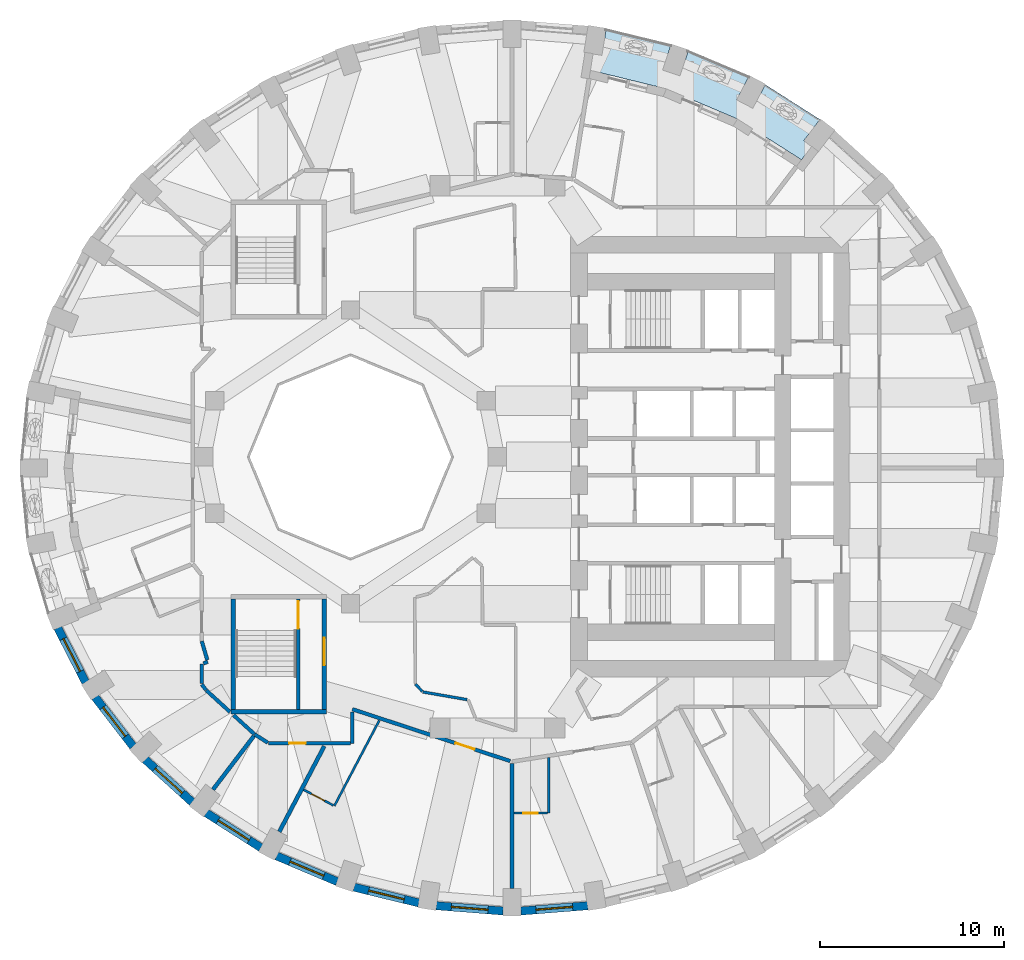
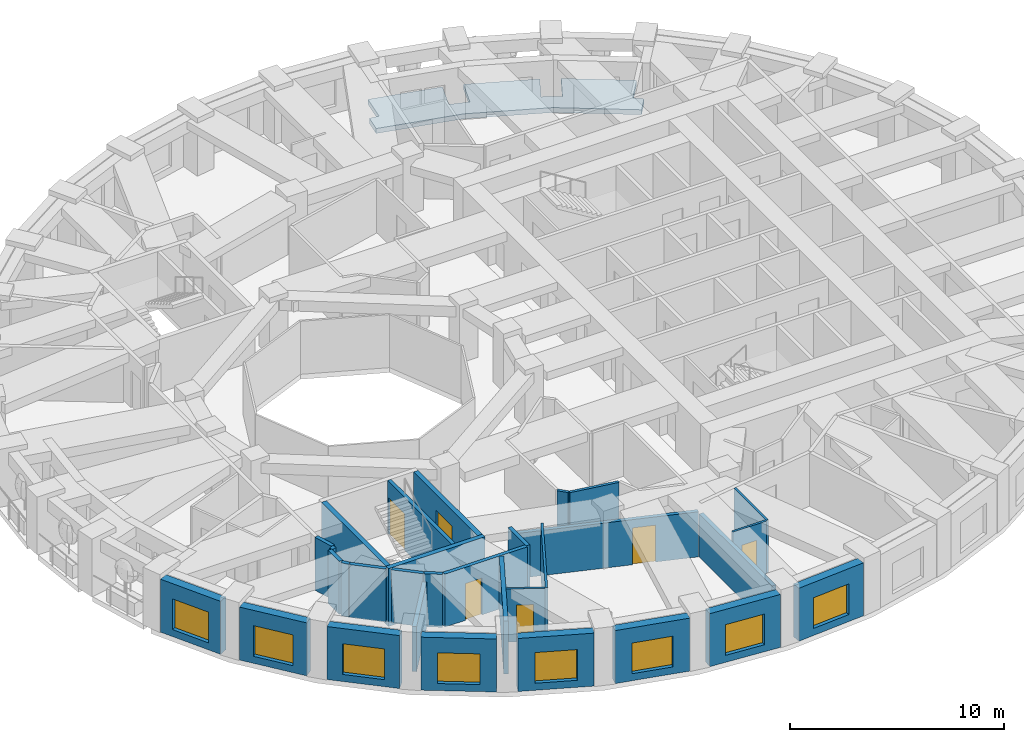
# One storey, part 3 of 12: 31 walls, 8 windows, 6 doors, 1 slab, 14 openings.
"""IFC4 building model written with IfcOpenShell, lengths in metres."""

import ifcopenshell
import ifcopenshell.guid

model = None  # the IFC model being written
_history = None  # IfcOwnerHistory: only IFC2X3 demands one
_inside = {}  # id of a spatial element -> (the spatial element, [elements in it])
_under = {}  # id of a project, library or spatial element -> (it, [spatial elements below it])
_declared = {}  # id of a project -> (the project, [libraries it declares])
_typed = {}  # id of a type object -> (the type object, [elements of that type])
_made_of = {}  # id of a material, layer set ... -> (it, [elements and type objects made of it])


def new_model(schema):
    """Start an empty IFC model of exactly this schema.

    Asked for "IFC4X3", IfcOpenShell would pick the latest addendum, in which some entities
    have other attributes; the version numbers below select the first issue.
    IFC2X3 requires an IfcOwnerHistory on every rooted entity: one is made here for all.
    """
    global model, _history
    if schema == "IFC4X3":
        model = ifcopenshell.file(schema_version=(4, 3, 0, 0))
    else:
        model = ifcopenshell.file(schema=schema)
    _inside.clear()
    _under.clear()
    _declared.clear()
    _typed.clear()
    _made_of.clear()
    _history = None
    if model.schema == "IFC2X3":
        org = make("IfcOrganization", Name="unknown")
        user = make(
            "IfcPersonAndOrganization",
            ThePerson=make("IfcPerson", FamilyName="unknown"),
            TheOrganization=org,
        )
        app = make(
            "IfcApplication",
            ApplicationDeveloper=org,
            Version="unknown",
            ApplicationFullName="unknown",
            ApplicationIdentifier="unknown",
        )
        _history = make(
            "IfcOwnerHistory",
            OwningUser=user,
            OwningApplication=app,
            ChangeAction="ADDED",
            CreationDate=0,
        )
    return model


def make(cls, **values):
    """One entity of the class cls with the attributes given. An attribute that is None is left unset."""
    return model.create_entity(
        cls, **{name: value for name, value in values.items() if value is not None}
    )


def rooted(cls, **values):
    """An entity with a GlobalId (a new one), such as an element, a storey or a relation."""
    return make(cls, GlobalId=ifcopenshell.guid.new(), OwnerHistory=_history, **values)


def si_unit(unit_type, name, prefix=None):
    """IfcSIUnit, for example si_unit("LENGTHUNIT", "METRE", prefix="MILLI")."""
    return make("IfcSIUnit", UnitType=unit_type, Prefix=prefix, Name=name)


def assignment(units):
    """IfcUnitAssignment: the units of a project."""
    return None if units is None else make("IfcUnitAssignment", Units=units)


def point(xyz):
    """IfcCartesianPoint."""
    return None if xyz is None else make("IfcCartesianPoint", Coordinates=xyz)


def direction(xyz):
    """IfcDirection."""
    return None if xyz is None else make("IfcDirection", DirectionRatios=xyz)


def frame(location, z_axis=None, x_axis=None):
    """IfcAxis2Placement3D, a coordinate frame: its origin and axes. An axis left out is left unset."""
    return make(
        "IfcAxis2Placement3D",
        Location=point(location),
        Axis=direction(z_axis),
        RefDirection=direction(x_axis),
    )


def frame_2d(location, x_axis=None):
    """IfcAxis2Placement2D, a coordinate frame in the plane: its origin and x axis."""
    return make(
        "IfcAxis2Placement2D", Location=point(location), RefDirection=direction(x_axis)
    )


def origin():
    """The frame at (0, 0, 0) with its axes left unset."""
    return frame((0.0, 0.0, 0.0))


def place(relative_to, where):
    """IfcLocalPlacement: puts the frame where relative to a parent placement (None: the world)."""
    return make(
        "IfcLocalPlacement", PlacementRelTo=relative_to, RelativePlacement=where
    )


def context(
    kind, dimensions, precision=None, world=None, true_north=None, identifier=None
):
    """IfcGeometricRepresentationContext, for example the 3D "Model" context."""
    return make(
        "IfcGeometricRepresentationContext",
        ContextIdentifier=identifier,
        ContextType=kind,
        CoordinateSpaceDimension=dimensions,
        Precision=precision,
        WorldCoordinateSystem=world,
        TrueNorth=true_north,
    )


def subcontext(parent, identifier, kind, view, scale=None):
    """IfcGeometricRepresentationSubContext, for example "Body" below "Model"."""
    return make(
        "IfcGeometricRepresentationSubContext",
        ContextIdentifier=identifier,
        ContextType=kind,
        ParentContext=parent,
        TargetScale=scale,
        TargetView=view,
    )


def project(units=None, contexts=None):
    """IfcProject with its units and contexts."""
    return rooted(
        "IfcProject",
        Name="project",
        RepresentationContexts=contexts,
        UnitsInContext=assignment(units),
    )


def spatial(cls, under=None, at=None, **own):
    """A site, building, storey or space (cls), placed at a placement, below another one or the project."""
    s = rooted(cls, ObjectPlacement=at, **own)
    if under is not None:
        _under.setdefault(under.id(), (under, []))[1].append(s)
    return s


def polyline(points):
    """IfcPolyline through the points."""
    return make("IfcPolyline", Points=[point(p) for p in points])


def profile(cls, at=None, kind="AREA", **sizes):
    """A parametric profile (cls). Its sizes go by their IFC names, for example OverallWidth=200.0."""
    return make(cls, ProfileType=kind, Position=at, **sizes)


def rectangle(**sizes):
    """IfcRectangleProfileDef."""
    return profile("IfcRectangleProfileDef", **sizes)


def outline(outer, holes=None, kind="AREA"):
    """IfcArbitraryClosedProfileDef: a profile drawn as a closed curve; with holes, ...WithVoids."""
    if holes is None:
        return make("IfcArbitraryClosedProfileDef", ProfileType=kind, OuterCurve=outer)
    return make(
        "IfcArbitraryProfileDefWithVoids",
        ProfileType=kind,
        OuterCurve=outer,
        InnerCurves=holes,
    )


def extrude(swept, where, along, depth):
    """IfcExtrudedAreaSolid: the profile swept, set in the frame where, extruded along a direction by depth."""
    return make(
        "IfcExtrudedAreaSolid",
        SweptArea=swept,
        Position=where,
        ExtrudedDirection=direction(along),
        Depth=depth,
    )


def shape(context_of_items, identifier, shape_type, items):
    """IfcShapeRepresentation: the items that make up one representation, for example the "Body"."""
    return make(
        "IfcShapeRepresentation",
        ContextOfItems=context_of_items,
        RepresentationIdentifier=identifier,
        RepresentationType=shape_type,
        Items=items,
    )


def material(Name=None, Category=None):
    """IfcMaterial."""
    return make("IfcMaterial", Name=Name, Category=Category)


def layer(
    of_material, thickness, ventilated=None, Name=None, Category=None, Priority=None
):
    """IfcMaterialLayer: one layer of a wall or slab, of a material (None: an air gap)."""
    return make(
        "IfcMaterialLayer",
        Material=of_material,
        LayerThickness=thickness,
        IsVentilated=ventilated,
        Name=Name,
        Category=Category,
        Priority=Priority,
    )


def layer_set(layers, Name=None):
    """IfcMaterialLayerSet."""
    return make("IfcMaterialLayerSet", MaterialLayers=layers, LayerSetName=Name)


def made_of(thing, what):
    """Note that an element or type object is made of a material, layer set ...; save() writes the relation."""
    if what is not None:
        _made_of.setdefault(what.id(), (what, []))[1].append(thing)
    return thing


def type_object(cls, material=None, **own):
    """A type object (cls), such as IfcWallType, which elements share."""
    return made_of(rooted(cls, **own), material)


def element(
    cls,
    number,
    at=None,
    inside=None,
    cuts=None,
    type_object=None,
    material=None,
    context=None,
    identifier="Body",
    shape_type=None,
    held_by="IfcProductDefinitionShape",
    body=None,
    shapes=None,
    **own,
):
    """One element of the class cls, such as IfcWall. Its Tag is "e" and its number.

    at: its placement. inside: the storey or other place that contains it. cuts: it is an
    opening in that element (IfcRelVoidsElement). A single representation is given by context,
    identifier, shape_type and body (its items); several are given by shapes. held_by: the class
    of the entity that holds the representations. save() writes the other relations.
    """
    e = rooted(cls, Tag="e%d" % number, ObjectPlacement=at, **own)
    if body is not None:
        shapes = [shape(context, identifier, shape_type, body)]
    if shapes is not None:
        e.Representation = make(held_by, Representations=shapes)
    if inside is not None:
        _inside.setdefault(inside.id(), (inside, []))[1].append(e)
    if cuts is not None:
        rooted(
            "IfcRelVoidsElement", RelatingBuildingElement=cuts, RelatedOpeningElement=e
        )
    if type_object is not None:
        _typed.setdefault(type_object.id(), (type_object, []))[1].append(e)
    return made_of(e, material)


def fill(opening, filler):
    """IfcRelFillsElement: the door or window that sits in an opening."""
    return rooted(
        "IfcRelFillsElement",
        RelatingOpeningElement=opening,
        RelatedBuildingElement=filler,
    )


def aggregate(whole, parts):
    """IfcRelAggregates: a whole, such as a stair, and the parts it consists of."""
    return rooted("IfcRelAggregates", RelatingObject=whole, RelatedObjects=parts)


def save(model, path):
    """Write the relations noted so far, then the file.

    IfcRelAggregates (storeys below a building ...), IfcRelContainedInSpatialStructure (elements
    in a storey), IfcRelDefinesByType, IfcRelAssociatesMaterial and IfcRelDeclares: one each for
    every whole, place, type object, material and project.
    """
    for whole, parts in _under.values():
        aggregate(whole, parts)
    for where, things in _inside.values():
        rooted(
            "IfcRelContainedInSpatialStructure",
            RelatedElements=things,
            RelatingStructure=where,
        )
    for kind, things in _typed.values():
        rooted("IfcRelDefinesByType", RelatedObjects=things, RelatingType=kind)
    for what, things in _made_of.values():
        rooted("IfcRelAssociatesMaterial", RelatedObjects=things, RelatingMaterial=what)
    for by, libraries in _declared.values():
        rooted("IfcRelDeclares", RelatingContext=by, RelatedDefinitions=libraries)
    model.write(path)


model = new_model("IFC4")

# Units and contexts
model_context = context("Model", 3, precision=1e-05, world=origin(), true_north=direction((0.0, 1.0)))
body_context = subcontext(model_context, "Body", "Model", "MODEL_VIEW")
ifc_project = project(units=[si_unit("LENGTHUNIT", "METRE"), si_unit("AREAUNIT", "SQUARE_METRE"), si_unit("VOLUMEUNIT", "CUBIC_METRE"), si_unit("PLANEANGLEUNIT", "RADIAN"), si_unit("MASSUNIT", "GRAM", prefix="KILO")], contexts=[model_context])

# Site, building, storey
site_placement = place(None, origin())
site = spatial("IfcSite", under=ifc_project, at=site_placement, CompositionType="ELEMENT")
building_placement = place(site_placement, origin())
building = spatial("IfcBuilding", under=site, at=building_placement, Name="Taillehof Tower", CompositionType="ELEMENT")
storey_placement = place(building_placement, frame((0.0, 0.0, 98.800048828125)))
storey = spatial("IfcBuildingStorey", under=building, at=storey_placement, Name="L27", CompositionType="ELEMENT", Elevation=98.800048828125)

# Slab
ifc_material_1 = material(Name="Concrete C40/50", Category="concrete")
ifc_layer_1 = layer(ifc_material_1, 0.280029296875)
ifc_layer_set_1 = layer_set([ifc_layer_1], Name="Balcony slab 280")
slab_type = type_object("IfcSlabType", Name="Balcony slab 280", PredefinedType="USERDEFINED", material=ifc_layer_set_1)
slab_placement = place(storey_placement, frame((0.0, 0.0, -0.280029296875)))
element("IfcSlab", 1, at=slab_placement, inside=storey, type_object=slab_type, Name="Balcony L27 pocket 1", ObjectType="BALCONY", PredefinedType="USERDEFINED", context=body_context, shape_type="SweptSolid", body=[
    extrude(outline(polyline([(5.0732421875, 21.0595703125), (5.216064453125, 21.9482421875), (5.6982421875, 21.870849609375), (5.929931640625, 23.313232421875), (9.45751953125, 22.45263671875), (8.9990234375, 21.069091796875), (9.9482421875, 20.754638671875), (10.40771484375, 22.14111328125), (13.710693359375, 20.73876953125), (13.033447265625, 19.4501953125), (13.918701171875, 18.985107421875), (14.597900390625, 20.27734375), (17.574462890625, 18.379638671875), (16.69189453125, 17.224609375), (17.116455078125, 16.900146484375), (16.56982421875, 16.184326171875), (13.083251953125, 18.40673828125), (9.211181640625, 20.05029296875), (5.0732421875, 21.0595703125)])), origin(), (0.0, 0.0, 1.0), 0.280029296875),
])

# Wall, opening, window
ifc_material_2 = material(Name="Brick masonry", Category="masonry")
ifc_layer_2 = layer(ifc_material_2, 0.449951171875)
ifc_layer_set_2 = layer_set([ifc_layer_2], Name="Brick infill wall 450")
wall_type_1 = type_object("IfcWallType", Name="Brick infill wall 450", PredefinedType="SOLIDWALL", material=ifc_layer_set_2)
wall_1_placement = place(storey_placement, frame((-23.9453125, -9.312255859375, 0.0), z_axis=(0.0, 0.0, 1.0), x_axis=(0.456828186229, -0.889554949549, 0.0)))
wall_1 = element("IfcWall", 2, at=wall_1_placement, inside=storey, type_object=wall_type_1, Name="Brick wall L27 bay 21", PredefinedType="SOLIDWALL", context=body_context, shape_type="SweptSolid", body=[
    extrude(rectangle(XDim=3.332763671875, YDim=0.449951171875, at=frame_2d((1.66650390625, 0.0))), origin(), (0.0, 0.0, 1.0), 3.02001953125),
])
opening_1_placement = place(wall_1_placement, frame((0.666259765625, 0.0, 0.39990234375)))
opening_1 = element("IfcOpeningElement", 3, at=opening_1_placement, cuts=wall_1, Name="Opening W2", PredefinedType="OPENING", context=body_context, shape_type="SweptSolid", body=[
    extrude(rectangle(XDim=2.0, YDim=1.75, at=frame_2d((1.0, 0.875))), frame((0.0, 0.23486328125, 0.0), z_axis=(0.0, -1.0, 0.0), x_axis=(1.0, 0.0, 0.0)), (0.0, 0.0, 1.0), 0.469970703125),
])
ifc_material_3 = material(Name="Aluminium window frame with clear double glazing", Category="aluminium")
window_type = type_object("IfcWindowType", Name="Deep-set window 2000x1750", PartitioningType="SINGLE_PANEL", PredefinedType="WINDOW", material=ifc_material_3)
window_1_placement = place(opening_1_placement, origin())
window_1 = element("IfcWindow", 4, at=window_1_placement, inside=storey, type_object=window_type, Name="W2", OverallHeight=1.75, OverallWidth=2.0, PartitioningType="SINGLE_PANEL", PredefinedType="WINDOW", context=body_context, shape_type="SweptSolid", body=[
    extrude(rectangle(XDim=2.0, YDim=1.75, at=frame_2d((1.0, 0.875))), frame((0.0, 0.034912109375, 0.0), z_axis=(0.0, -1.0, 0.0), x_axis=(1.0, 0.0, 0.0)), (0.0, 0.0, 1.0), 0.06005859375),
])
fill(opening_1, window_1)

wall_2_placement = place(storey_placement, frame((-21.908203125, -13.08740234375, 0.0), z_axis=(0.0, 0.0, 1.0), x_axis=(0.610693945156, -0.791866721961, 0.0)))
wall_2 = element("IfcWall", 5, at=wall_2_placement, inside=storey, type_object=wall_type_1, Name="Brick wall L27 bay 22", PredefinedType="SOLIDWALL", context=body_context, shape_type="SweptSolid", body=[
    extrude(rectangle(XDim=3.39453125, YDim=0.449951171875, at=frame_2d((1.697265625, 0.0))), origin(), (0.0, 0.0, 1.0), 3.02001953125),
])
opening_2_placement = place(wall_2_placement, frame((0.697265625, 0.0, 0.39990234375)))
opening_2 = element("IfcOpeningElement", 6, at=opening_2_placement, cuts=wall_2, Name="Opening W2", PredefinedType="OPENING", context=body_context, shape_type="SweptSolid", body=[
    extrude(rectangle(XDim=2.0, YDim=1.75, at=frame_2d((1.0, 0.875))), frame((0.0, 0.23486328125, 0.0), z_axis=(0.0, -1.0, 0.0), x_axis=(1.0, 0.0, 0.0)), (0.0, 0.0, 1.0), 0.469970703125),
])
window_2_placement = place(opening_2_placement, origin())
window_2 = element("IfcWindow", 7, at=window_2_placement, inside=storey, type_object=window_type, Name="W2", OverallHeight=1.75, OverallWidth=2.0, PartitioningType="SINGLE_PANEL", PredefinedType="WINDOW", context=body_context, shape_type="SweptSolid", body=[
    extrude(rectangle(XDim=2.0, YDim=1.75, at=frame_2d((1.0, 0.875))), frame((0.0, 0.034912109375, 0.0), z_axis=(0.0, -1.0, 0.0), x_axis=(1.0, 0.0, 0.0)), (0.0, 0.0, 1.0), 0.06005859375),
])
fill(opening_2, window_2)

wall_3_placement = place(storey_placement, frame((-19.18408203125, -16.481201171875, 0.0), z_axis=(0.0, 0.0, 1.0), x_axis=(0.740364106106, -0.672206062446, 0.0)))
wall_3 = element("IfcWall", 8, at=wall_3_placement, inside=storey, type_object=wall_type_1, Name="Brick wall L27 bay 23", PredefinedType="SOLIDWALL", context=body_context, shape_type="SweptSolid", body=[
    extrude(rectangle(XDim=3.4638671875, YDim=0.449951171875, at=frame_2d((1.73193359375, 0.0))), origin(), (0.0, 0.0, 1.0), 3.02001953125),
])
opening_3_placement = place(wall_3_placement, frame((0.73193359375, 0.0, 0.39990234375)))
opening_3 = element("IfcOpeningElement", 9, at=opening_3_placement, cuts=wall_3, Name="Opening W2", PredefinedType="OPENING", context=body_context, shape_type="SweptSolid", body=[
    extrude(rectangle(XDim=2.0, YDim=1.75, at=frame_2d((1.0, 0.875))), frame((0.0, 0.23486328125, 0.0), z_axis=(0.0, -1.0, 0.0), x_axis=(1.0, 0.0, 0.0)), (0.0, 0.0, 1.0), 0.469970703125),
])
window_3_placement = place(opening_3_placement, origin())
window_3 = element("IfcWindow", 10, at=window_3_placement, inside=storey, type_object=window_type, Name="W2", OverallHeight=1.75, OverallWidth=2.0, PartitioningType="SINGLE_PANEL", PredefinedType="WINDOW", context=body_context, shape_type="SweptSolid", body=[
    extrude(rectangle(XDim=2.0, YDim=1.75, at=frame_2d((1.0, 0.875))), frame((0.0, 0.034912109375, 0.0), z_axis=(0.0, -1.0, 0.0), x_axis=(1.0, 0.0, 0.0)), (0.0, 0.0, 1.0), 0.06005859375),
])
fill(opening_3, window_3)

wall_4_placement = place(storey_placement, frame((-15.856201171875, -19.39208984375, 0.0), z_axis=(0.0, 0.0, 1.0), x_axis=(0.843891947083, -0.53651317006, 0.0)))
wall_4 = element("IfcWall", 11, at=wall_4_placement, inside=storey, type_object=wall_type_1, Name="Brick wall L27 bay 24", PredefinedType="SOLIDWALL", context=body_context, shape_type="SweptSolid", body=[
    extrude(rectangle(XDim=3.531982421875, YDim=0.449951171875, at=frame_2d((1.76611328125, 0.0))), origin(), (0.0, 0.0, 1.0), 3.02001953125),
])
opening_4_placement = place(wall_4_placement, frame((0.76611328125, 0.0, 0.39990234375)))
opening_4 = element("IfcOpeningElement", 12, at=opening_4_placement, cuts=wall_4, Name="Opening W2", PredefinedType="OPENING", context=body_context, shape_type="SweptSolid", body=[
    extrude(rectangle(XDim=2.0, YDim=1.75, at=frame_2d((1.0, 0.875))), frame((0.0, 0.23486328125, 0.0), z_axis=(0.0, -1.0, 0.0), x_axis=(1.0, 0.0, 0.0)), (0.0, 0.0, 1.0), 0.469970703125),
])
window_4_placement = place(opening_4_placement, origin())
window_4 = element("IfcWindow", 13, at=window_4_placement, inside=storey, type_object=window_type, Name="W2", OverallHeight=1.75, OverallWidth=2.0, PartitioningType="SINGLE_PANEL", PredefinedType="WINDOW", context=body_context, shape_type="SweptSolid", body=[
    extrude(rectangle(XDim=2.0, YDim=1.75, at=frame_2d((1.0, 0.875))), frame((0.0, 0.034912109375, 0.0), z_axis=(0.0, -1.0, 0.0), x_axis=(1.0, 0.0, 0.0)), (0.0, 0.0, 1.0), 0.06005859375),
])
fill(opening_4, window_4)

wall_5_placement = place(storey_placement, frame((-12.025390625, -21.7333984375, 0.0), z_axis=(0.0, 0.0, 1.0), x_axis=(0.920879975612, -0.389846213932, 0.0)))
wall_5 = element("IfcWall", 14, at=wall_5_placement, inside=storey, type_object=wall_type_1, Name="Brick wall L27 bay 25", PredefinedType="SOLIDWALL", context=body_context, shape_type="SweptSolid", body=[
    extrude(rectangle(XDim=3.591552734375, YDim=0.449951171875, at=frame_2d((1.7958984375, 0.0))), origin(), (0.0, 0.0, 1.0), 3.02001953125),
])
opening_5_placement = place(wall_5_placement, frame((0.795654296875, 0.0, 0.39990234375)))
opening_5 = element("IfcOpeningElement", 15, at=opening_5_placement, cuts=wall_5, Name="Opening W2", PredefinedType="OPENING", context=body_context, shape_type="SweptSolid", body=[
    extrude(rectangle(XDim=2.0, YDim=1.75, at=frame_2d((1.0, 0.875))), frame((0.0, 0.23486328125, 0.0), z_axis=(0.0, -1.0, 0.0), x_axis=(1.0, 0.0, 0.0)), (0.0, 0.0, 1.0), 0.469970703125),
])
window_5_placement = place(opening_5_placement, origin())
window_5 = element("IfcWindow", 16, at=window_5_placement, inside=storey, type_object=window_type, Name="W2", OverallHeight=1.75, OverallWidth=2.0, PartitioningType="SINGLE_PANEL", PredefinedType="WINDOW", context=body_context, shape_type="SweptSolid", body=[
    extrude(rectangle(XDim=2.0, YDim=1.75, at=frame_2d((1.0, 0.875))), frame((0.0, 0.034912109375, 0.0), z_axis=(0.0, -1.0, 0.0), x_axis=(1.0, 0.0, 0.0)), (0.0, 0.0, 1.0), 0.06005859375),
])
fill(opening_5, window_5)

wall_6_placement = place(storey_placement, frame((-7.806640625, -23.435302734375, 0.0), z_axis=(0.0, 0.0, 1.0), x_axis=(0.971667603162, -0.236351579148, 0.0)))
wall_6 = element("IfcWall", 17, at=wall_6_placement, inside=storey, type_object=wall_type_1, Name="Brick wall L27 bay 26", PredefinedType="SOLIDWALL", context=body_context, shape_type="SweptSolid", body=[
    extrude(rectangle(XDim=3.635009765625, YDim=0.449951171875, at=frame_2d((1.8173828125, 0.0))), origin(), (0.0, 0.0, 1.0), 3.02001953125),
])
opening_6_placement = place(wall_6_placement, frame((0.8173828125, 0.0, 0.39990234375)))
opening_6 = element("IfcOpeningElement", 18, at=opening_6_placement, cuts=wall_6, Name="Opening W2", PredefinedType="OPENING", context=body_context, shape_type="SweptSolid", body=[
    extrude(rectangle(XDim=2.0, YDim=1.75, at=frame_2d((1.0, 0.875))), frame((0.0, 0.23486328125, 0.0), z_axis=(0.0, -1.0, 0.0), x_axis=(1.0, 0.0, 0.0)), (0.0, 0.0, 1.0), 0.469970703125),
])
window_6_placement = place(opening_6_placement, origin())
window_6 = element("IfcWindow", 19, at=window_6_placement, inside=storey, type_object=window_type, Name="W2", OverallHeight=1.75, OverallWidth=2.0, PartitioningType="SINGLE_PANEL", PredefinedType="WINDOW", context=body_context, shape_type="SweptSolid", body=[
    extrude(rectangle(XDim=2.0, YDim=1.75, at=frame_2d((1.0, 0.875))), frame((0.0, 0.034912109375, 0.0), z_axis=(0.0, -1.0, 0.0), x_axis=(1.0, 0.0, 0.0)), (0.0, 0.0, 1.0), 0.06005859375),
])
fill(opening_6, window_6)

wall_7_placement = place(storey_placement, frame((-3.32666015625, -24.446533203125, 0.0), z_axis=(0.0, 0.0, 1.0), x_axis=(0.996862216754, -0.079156306178, 0.0)))
wall_7 = element("IfcWall", 20, at=wall_7_placement, inside=storey, type_object=wall_type_1, Name="Brick wall L27 bay 27", PredefinedType="SOLIDWALL", context=body_context, shape_type="SweptSolid", body=[
    extrude(rectangle(XDim=3.657958984375, YDim=0.449951171875, at=frame_2d((1.8291015625, 0.0))), origin(), (0.0, 0.0, 1.0), 3.02001953125),
])
opening_7_placement = place(wall_7_placement, frame((0.8291015625, 0.0, 0.39990234375)))
opening_7 = element("IfcOpeningElement", 21, at=opening_7_placement, cuts=wall_7, Name="Opening W2", PredefinedType="OPENING", context=body_context, shape_type="SweptSolid", body=[
    extrude(rectangle(XDim=2.0, YDim=1.75, at=frame_2d((1.0, 0.875))), frame((0.0, 0.23486328125, 0.0), z_axis=(0.0, -1.0, 0.0), x_axis=(1.0, 0.0, 0.0)), (0.0, 0.0, 1.0), 0.469970703125),
])
window_7_placement = place(opening_7_placement, origin())
window_7 = element("IfcWindow", 22, at=window_7_placement, inside=storey, type_object=window_type, Name="W2", OverallHeight=1.75, OverallWidth=2.0, PartitioningType="SINGLE_PANEL", PredefinedType="WINDOW", context=body_context, shape_type="SweptSolid", body=[
    extrude(rectangle(XDim=2.0, YDim=1.75, at=frame_2d((1.0, 0.875))), frame((0.0, 0.034912109375, 0.0), z_axis=(0.0, -1.0, 0.0), x_axis=(1.0, 0.0, 0.0)), (0.0, 0.0, 1.0), 0.06005859375),
])
fill(opening_7, window_7)

wall_8_placement = place(storey_placement, frame((1.280029296875, -24.736083984375, 0.0), z_axis=(0.0, 0.0, 1.0), x_axis=(0.996862216754, 0.079156306178, 0.0)))
wall_8 = element("IfcWall", 23, at=wall_8_placement, inside=storey, type_object=wall_type_1, Name="Brick wall L27 bay 28", PredefinedType="SOLIDWALL", context=body_context, shape_type="SweptSolid", body=[
    extrude(rectangle(XDim=3.657958984375, YDim=0.449951171875, at=frame_2d((1.8291015625, 0.0))), origin(), (0.0, 0.0, 1.0), 3.02001953125),
])
opening_8_placement = place(wall_8_placement, frame((0.8291015625, 0.0, 0.39990234375)))
opening_8 = element("IfcOpeningElement", 24, at=opening_8_placement, cuts=wall_8, Name="Opening W2", PredefinedType="OPENING", context=body_context, shape_type="SweptSolid", body=[
    extrude(rectangle(XDim=2.0, YDim=1.75, at=frame_2d((1.0, 0.875))), frame((0.0, 0.23486328125, 0.0), z_axis=(0.0, -1.0, 0.0), x_axis=(1.0, 0.0, 0.0)), (0.0, 0.0, 1.0), 0.469970703125),
])
window_8_placement = place(opening_8_placement, origin())
window_8 = element("IfcWindow", 25, at=window_8_placement, inside=storey, type_object=window_type, Name="W2", OverallHeight=1.75, OverallWidth=2.0, PartitioningType="SINGLE_PANEL", PredefinedType="WINDOW", context=body_context, shape_type="SweptSolid", body=[
    extrude(rectangle(XDim=2.0, YDim=1.75, at=frame_2d((1.0, 0.875))), frame((0.0, 0.034912109375, 0.0), z_axis=(0.0, -1.0, 0.0), x_axis=(1.0, 0.0, 0.0)), (0.0, 0.0, 1.0), 0.06005859375),
])
fill(opening_8, window_8)

# Walls
ifc_material_4 = material(Name="Gypsum board on steel studs, two layers each side", Category="steel")
ifc_layer_3 = layer(ifc_material_4, 0.199951171875)
ifc_layer_set_3 = layer_set([ifc_layer_3], Name="Compartment wall corridor 200")
wall_type_2 = type_object("IfcWallType", Name="Compartment wall corridor 200", PredefinedType="PARTITIONING", material=ifc_layer_set_3)
wall_9_placement = place(storey_placement, frame((-14.5595703125, -13.891357421875, 0.0), z_axis=(0.0, 0.0, 1.0), x_axis=(-0.739440483737, 0.673221932954, 0.0)))
element("IfcWall", 26, at=wall_9_placement, inside=storey, type_object=wall_type_2, Name="Compartment wall", PredefinedType="PARTITIONING", context=body_context, shape_type="SweptSolid", body=[
    extrude(rectangle(XDim=1.74755859375, YDim=0.199951171875, at=frame_2d((0.873779296875, 0.0))), origin(), (0.0, 0.0, 1.0), 3.02001953125),
])
wall_10_placement = place(storey_placement, frame((-15.864013671875, -12.698974609375, 0.0), z_axis=(0.0, 0.0, 1.0), x_axis=(-0.61004607296, 0.792365943782, 0.0)))
element("IfcWall", 27, at=wall_10_placement, inside=storey, type_object=wall_type_2, Name="Compartment wall", PredefinedType="PARTITIONING", context=body_context, shape_type="SweptSolid", body=[
    extrude(rectangle(XDim=0.386962890625, YDim=0.199951171875, at=frame_2d((0.193359375, 0.0))), origin(), (0.0, 0.0, 1.0), 3.02001953125),
])
wall_11_placement = place(storey_placement, frame((-16.10009765625, -12.332275390625, 0.0), z_axis=(0.0, 0.0, 1.0), x_axis=(0.0, 1.0, 0.0)))
element("IfcWall", 28, at=wall_11_placement, inside=storey, type_object=wall_type_2, Name="Compartment wall", PredefinedType="PARTITIONING", context=body_context, shape_type="SweptSolid", body=[
    extrude(rectangle(XDim=1.044677734375, YDim=0.199951171875, at=frame_2d((0.5224609375, 0.0))), origin(), (0.0, 0.0, 1.0), 3.02001953125),
])
wall_12_placement = place(storey_placement, frame((-16.00732421875, -11.2509765625, 0.0), z_axis=(0.0, 0.0, 1.0), x_axis=(0.928016011931, 0.372540308691, 0.0)))
element("IfcWall", 29, at=wall_12_placement, inside=storey, type_object=wall_type_2, Name="Compartment wall", PredefinedType="PARTITIONING", context=body_context, shape_type="SweptSolid", body=[
    extrude(rectangle(XDim=0.25634765625, YDim=0.199951171875, at=frame_2d((0.128173828125, 0.0))), origin(), (0.0, 0.0, 1.0), 3.02001953125),
])
wall_13_placement = place(storey_placement, frame((-15.797607421875, -11.05908203125, 0.0), z_axis=(0.0, 0.0, 1.0), x_axis=(-0.282883185669, 0.959154368841, 0.0)))
element("IfcWall", 30, at=wall_13_placement, inside=storey, type_object=wall_type_2, Name="Compartment wall", PredefinedType="PARTITIONING", context=body_context, shape_type="SweptSolid", body=[
    extrude(rectangle(XDim=1.0693359375, YDim=0.199951171875, at=frame_2d((0.53466796875, 0.0))), origin(), (0.0, 0.0, 1.0), 3.02001953125),
])

# Wall, opening, door
wall_14_placement = place(storey_placement, frame((0.704833984375, -16.568359375, 0.0), z_axis=(0.0, 0.0, 1.0), x_axis=(-0.950067715644, 0.312043804122, 0.0)))
wall_14 = element("IfcWall", 31, at=wall_14_placement, inside=storey, type_object=wall_type_2, Name="Compartment wall", PredefinedType="PARTITIONING", context=body_context, shape_type="SweptSolid", body=[
    extrude(rectangle(XDim=9.056884765625, YDim=0.199951171875, at=frame_2d((4.5283203125, 0.0))), origin(), (0.0, 0.0, 1.0), 2.570068359375),
])
opening_9_placement = place(wall_14_placement, frame((2.044677734375, 0.0, 0.0)))
opening_9 = element("IfcOpeningElement", 32, at=opening_9_placement, cuts=wall_14, Name="Opening D2753", PredefinedType="OPENING", context=body_context, shape_type="SweptSolid", body=[
    extrude(rectangle(XDim=1.10009765625, YDim=2.10009765625, at=frame_2d((0.550048828125, 1.050048828125))), frame((0.0, 0.10986328125, 0.0), z_axis=(0.0, -1.0, 0.0), x_axis=(1.0, 0.0, 0.0)), (0.0, 0.0, 1.0), 0.219970703125),
])
ifc_material_5 = material(Name="Timber door leaf in steel frame", Category="steel")
door_type_1 = type_object("IfcDoorType", Name="Suite entrance door EI 30 1100 x 2100", OperationType="SINGLE_SWING_LEFT", PredefinedType="DOOR", material=ifc_material_5)
door_1_placement = place(opening_9_placement, origin())
door_1 = element("IfcDoor", 33, at=door_1_placement, inside=storey, type_object=door_type_1, Name="D2753", OperationType="SINGLE_SWING_LEFT", OverallHeight=2.10009765625, OverallWidth=1.10009765625, PredefinedType="DOOR", context=body_context, shape_type="SweptSolid", body=[
    extrude(rectangle(XDim=1.10009765625, YDim=2.10009765625, at=frame_2d((0.550048828125, 1.050048828125))), frame((0.0, 0.02490234375, 0.0), z_axis=(0.0, -1.0, 0.0), x_axis=(1.0, 0.0, 0.0)), (0.0, 0.0, 1.0), 0.050048828125),
])
fill(opening_9, door_1)

# Wall
wall_15_placement = place(storey_placement, frame((-7.89990234375, -13.88232421875, 0.0), z_axis=(0.0, 0.0, 1.0), x_axis=(0.0, -1.0, 0.0)))
element("IfcWall", 34, at=wall_15_placement, inside=storey, type_object=wall_type_2, Name="Compartment wall", PredefinedType="PARTITIONING", context=body_context, shape_type="SweptSolid", body=[
    extrude(rectangle(XDim=1.7177734375, YDim=0.199951171875, at=frame_2d((0.85888671875, 0.0))), origin(), (0.0, 0.0, 1.0), 3.02001953125),
])

# Wall, opening, door
wall_16_placement = place(storey_placement, frame((-8.0, -15.60009765625, 0.0), z_axis=(0.0, 0.0, 1.0), x_axis=(-1.0, 0.0, 0.0)))
wall_16 = element("IfcWall", 35, at=wall_16_placement, inside=storey, type_object=wall_type_2, Name="Compartment wall", PredefinedType="PARTITIONING", context=body_context, shape_type="SweptSolid", body=[
    extrude(rectangle(XDim=4.450927734375, YDim=0.199951171875, at=frame_2d((2.2255859375, 0.0))), origin(), (0.0, 0.0, 1.0), 3.02001953125),
])
opening_10_placement = place(wall_16_placement, frame((2.441650390625, 0.0, 0.0)))
opening_10 = element("IfcOpeningElement", 36, at=opening_10_placement, cuts=wall_16, Name="Opening D2752", PredefinedType="OPENING", context=body_context, shape_type="SweptSolid", body=[
    extrude(rectangle(XDim=0.89990234375, YDim=2.10009765625, at=frame_2d((0.449951171875, 1.050048828125))), frame((0.0, 0.10986328125, 0.0), z_axis=(0.0, -1.0, 0.0), x_axis=(1.0, 0.0, 0.0)), (0.0, 0.0, 1.0), 0.219970703125),
])
ifc_material_6 = material(Name="Timber door leaf in steel frame", Category="steel")
door_type_2 = type_object("IfcDoorType", Name="Service room door EI 30 900 x 2100", OperationType="SINGLE_SWING_LEFT", PredefinedType="DOOR", material=ifc_material_6)
door_2_placement = place(opening_10_placement, origin())
door_2 = element("IfcDoor", 37, at=door_2_placement, inside=storey, type_object=door_type_2, Name="D2752", OperationType="SINGLE_SWING_LEFT", OverallHeight=2.10009765625, OverallWidth=0.89990234375, PredefinedType="DOOR", context=body_context, shape_type="SweptSolid", body=[
    extrude(rectangle(XDim=0.89990234375, YDim=2.10009765625, at=frame_2d((0.449951171875, 1.050048828125))), frame((0.0, 0.02490234375, 0.0), z_axis=(0.0, -1.0, 0.0), x_axis=(1.0, 0.0, 0.0)), (0.0, 0.0, 1.0), 0.050048828125),
])
fill(opening_10, door_2)

# Walls
wall_17_placement = place(storey_placement, frame((-12.50146484375, -15.56787109375, 0.0), z_axis=(0.0, 0.0, 1.0), x_axis=(-0.843169167706, 0.537648355926, 0.0)))
element("IfcWall", 38, at=wall_17_placement, inside=storey, type_object=wall_type_2, Name="Compartment wall", PredefinedType="PARTITIONING", context=body_context, shape_type="SweptSolid", body=[
    extrude(rectangle(XDim=0.858154296875, YDim=0.199951171875, at=frame_2d((0.42919921875, 0.0))), origin(), (0.0, 0.0, 1.0), 3.02001953125),
])
wall_18_placement = place(storey_placement, frame((-13.239990234375, -15.093017578125, 0.0), z_axis=(0.0, 0.0, 1.0), x_axis=(-0.739438095557, 0.673224556028, 0.0)))
element("IfcWall", 39, at=wall_18_placement, inside=storey, type_object=wall_type_2, Name="Compartment wall", PredefinedType="PARTITIONING", context=body_context, shape_type="SweptSolid", body=[
    extrude(rectangle(XDim=1.51904296875, YDim=0.199951171875, at=frame_2d((0.759521484375, 0.0))), origin(), (0.0, 0.0, 1.0), 3.02001953125),
])
ifc_material_7 = material(Name="Gypsum board on double steel studs with mineral wool", Category="steel")
ifc_layer_4 = layer(ifc_material_7, 0.219970703125)
ifc_layer_set_4 = layer_set([ifc_layer_4], Name="Compartment wall guest room 220")
wall_type_3 = type_object("IfcWallType", Name="Compartment wall guest room 220", PredefinedType="PARTITIONING", material=ifc_layer_set_4)
wall_19_placement = place(storey_placement, frame((-15.4892578125, -18.120849609375, 0.0), z_axis=(0.0, 0.0, 1.0), x_axis=(0.607082337972, 0.794638933681, 0.0)))
element("IfcWall", 40, at=wall_19_placement, inside=storey, type_object=wall_type_3, Name="Compartment wall", PredefinedType="PARTITIONING", context=body_context, shape_type="SweptSolid", body=[
    extrude(rectangle(XDim=3.672119140625, YDim=0.219970703125, at=frame_2d((1.8359375, 0.0))), origin(), (0.0, 0.0, 1.0), 2.570068359375),
])
wall_20_placement = place(storey_placement, frame((-11.8759765625, -20.417724609375, 0.0), z_axis=(0.0, 0.0, 1.0), x_axis=(0.465320539057, 0.885142246157, 0.0)))
element("IfcWall", 41, at=wall_20_placement, inside=storey, type_object=wall_type_3, Name="Compartment wall", PredefinedType="PARTITIONING", context=body_context, shape_type="SweptSolid", body=[
    extrude(rectangle(XDim=5.269287109375, YDim=0.219970703125, at=frame_2d((2.634765625, 0.0))), origin(), (0.0, 0.0, 1.0), 3.02001953125),
])
wall_21_placement = place(storey_placement, frame((0.800048828125, -23.5, 0.0), z_axis=(0.0, 0.0, 1.0), x_axis=(0.0, 1.0, 0.0)))
element("IfcWall", 42, at=wall_21_placement, inside=storey, type_object=wall_type_3, Name="Compartment wall", PredefinedType="PARTITIONING", context=body_context, shape_type="SweptSolid", body=[
    extrude(rectangle(XDim=6.7998046875, YDim=0.219970703125, at=frame_2d((3.39990234375, 0.0))), origin(), (0.0, 0.0, 1.0), 2.469970703125),
])
ifc_material_8 = material(Name="Gypsum board on steel studs, two layers each side", Category="steel")
ifc_layer_5 = layer(ifc_material_8, 0.14990234375)
ifc_layer_set_5 = layer_set([ifc_layer_5], Name="Compartment wall service room 150")
wall_type_4 = type_object("IfcWallType", Name="Compartment wall service room 150", PredefinedType="PARTITIONING", material=ifc_layer_set_5)
wall_22_placement = place(storey_placement, frame((-1.64501953125, -13.221923828125, 0.0), z_axis=(0.0, 0.0, 1.0), x_axis=(-0.985187584004, 0.171480098917, 0.0)))
element("IfcWall", 43, at=wall_22_placement, inside=storey, type_object=wall_type_4, Name="Compartment wall", PredefinedType="PARTITIONING", context=body_context, shape_type="SweptSolid", body=[
    extrude(rectangle(XDim=2.447265625, YDim=0.14990234375, at=frame_2d((1.2236328125, 0.0))), origin(), (0.0, 0.0, 1.0), 3.02001953125),
])
wall_23_placement = place(storey_placement, frame((-4.083984375, -12.7734375, 0.0), z_axis=(0.0, 0.0, 1.0), x_axis=(-0.692272471515, 0.72163621388, 0.0)))
element("IfcWall", 44, at=wall_23_placement, inside=storey, type_object=wall_type_4, Name="Compartment wall", PredefinedType="PARTITIONING", context=body_context, shape_type="SweptSolid", body=[
    extrude(rectangle(XDim=0.548828125, YDim=0.14990234375, at=frame_2d((0.2744140625, 0.0))), origin(), (0.0, 0.0, 1.0), 3.02001953125),
])
ifc_material_9 = material(Name="Gypsum board on steel studs, moisture resistant", Category="steel")
ifc_layer_6 = layer(ifc_material_9, 0.1201171875)
ifc_layer_set_6 = layer_set([ifc_layer_6], Name="En-suite wall 120")
wall_type_5 = type_object("IfcWallType", Name="En-suite wall 120", PredefinedType="PARTITIONING", material=ifc_layer_set_6)
wall_24_placement = place(storey_placement, frame((-6.427978515625, -14.351806640625, 0.0), z_axis=(0.0, 0.0, 1.0), x_axis=(-0.46531034676, -0.885147604187, 0.0)))
element("IfcWall", 45, at=wall_24_placement, inside=storey, type_object=wall_type_5, Name="En-suite wall", PredefinedType="PARTITIONING", context=body_context, shape_type="SweptSolid", body=[
    extrude(rectangle(XDim=5.261474609375, YDim=0.1201171875, at=frame_2d((2.630859375, 0.0))), origin(), (0.0, 0.0, 1.0), 3.02001953125),
])
wall_25_placement = place(storey_placement, frame((2.800048828125, -16.380859375, 0.0), z_axis=(0.0, 0.0, 1.0), x_axis=(0.0, -1.0, 0.0)))
element("IfcWall", 46, at=wall_25_placement, inside=storey, type_object=wall_type_5, Name="En-suite wall", PredefinedType="PARTITIONING", context=body_context, shape_type="SweptSolid", body=[
    extrude(rectangle(XDim=3.01904296875, YDim=0.1201171875, at=frame_2d((1.509521484375, 0.0))), origin(), (0.0, 0.0, 1.0), 3.02001953125),
])

# Wall, opening, door
wall_26_placement = place(storey_placement, frame((-8.929443359375, -18.981201171875, 0.0), z_axis=(0.0, 0.0, 1.0), x_axis=(-0.885114946598, 0.465372465139, 0.0)))
wall_26 = element("IfcWall", 47, at=wall_26_placement, inside=storey, type_object=wall_type_5, Name="En-suite wall", PredefinedType="PARTITIONING", context=body_context, shape_type="SweptSolid", body=[
    extrude(rectangle(XDim=1.829833984375, YDim=0.1201171875, at=frame_2d((0.9150390625, 0.0))), origin(), (0.0, 0.0, 1.0), 3.02001953125),
])
opening_11_placement = place(wall_26_placement, frame((0.539794921875, 0.0, 0.0)))
opening_11 = element("IfcOpeningElement", 48, at=opening_11_placement, cuts=wall_26, Name="Opening D2754", PredefinedType="OPENING", context=body_context, shape_type="SweptSolid", body=[
    extrude(rectangle(XDim=0.800048828125, YDim=2.10009765625, at=frame_2d((0.39990234375, 1.050048828125))), frame((0.0, 0.070068359375, 0.0), z_axis=(0.0, -1.0, 0.0), x_axis=(1.0, 0.0, 0.0)), (0.0, 0.0, 1.0), 0.14013671875),
])
ifc_material_10 = material(Name="Timber door leaf in steel frame", Category="steel")
door_type_3 = type_object("IfcDoorType", Name="En-suite door 800 x 2100", OperationType="SINGLE_SWING_LEFT", PredefinedType="DOOR", material=ifc_material_10)
door_3_placement = place(opening_11_placement, origin())
door_3 = element("IfcDoor", 49, at=door_3_placement, inside=storey, type_object=door_type_3, Name="D2754", OperationType="SINGLE_SWING_LEFT", OverallHeight=2.10009765625, OverallWidth=0.800048828125, PredefinedType="DOOR", context=body_context, shape_type="SweptSolid", body=[
    extrude(rectangle(XDim=0.800048828125, YDim=2.10009765625, at=frame_2d((0.39990234375, 1.050048828125))), frame((0.0, 0.02490234375, 0.0), z_axis=(0.0, -1.0, 0.0), x_axis=(1.0, 0.0, 0.0)), (0.0, 0.0, 1.0), 0.050048828125),
])
fill(opening_11, door_3)

wall_27_placement = place(storey_placement, frame((2.739990234375, -19.39990234375, 0.0), z_axis=(0.0, 0.0, 1.0), x_axis=(-1.0, 0.0, 0.0)))
wall_27 = element("IfcWall", 50, at=wall_27_placement, inside=storey, type_object=wall_type_5, Name="En-suite wall", PredefinedType="PARTITIONING", context=body_context, shape_type="SweptSolid", body=[
    extrude(rectangle(XDim=1.829833984375, YDim=0.1201171875, at=frame_2d((0.9150390625, 0.0))), origin(), (0.0, 0.0, 1.0), 3.02001953125),
])
opening_12_placement = place(wall_27_placement, frame((0.5400390625, 0.0, 0.0)))
opening_12 = element("IfcOpeningElement", 51, at=opening_12_placement, cuts=wall_27, Name="Opening D2756", PredefinedType="OPENING", context=body_context, shape_type="SweptSolid", body=[
    extrude(rectangle(XDim=0.800048828125, YDim=2.10009765625, at=frame_2d((0.39990234375, 1.050048828125))), frame((0.0, 0.070068359375, 0.0), z_axis=(0.0, -1.0, 0.0), x_axis=(1.0, 0.0, 0.0)), (0.0, 0.0, 1.0), 0.14013671875),
])
door_4_placement = place(opening_12_placement, origin())
door_4 = element("IfcDoor", 52, at=door_4_placement, inside=storey, type_object=door_type_3, Name="D2756", OperationType="SINGLE_SWING_RIGHT", OverallHeight=2.10009765625, OverallWidth=0.800048828125, PredefinedType="DOOR", context=body_context, shape_type="SweptSolid", body=[
    extrude(rectangle(XDim=0.800048828125, YDim=2.10009765625, at=frame_2d((0.39990234375, 1.050048828125))), frame((0.0, 0.02490234375, 0.0), z_axis=(0.0, -1.0, 0.0), x_axis=(1.0, 0.0, 0.0)), (0.0, 0.0, 1.0), 0.050048828125),
])
fill(opening_12, door_4)

ifc_material_11 = material(Name="Concrete C50/60", Category="concrete")
ifc_layer_7 = layer(ifc_material_11, 0.199951171875)
ifc_layer_set_7 = layer_set([ifc_layer_7], Name="Shaft wall C50/60 200")
wall_type_6 = type_object("IfcWallType", Name="Shaft wall C50/60 200", PredefinedType="SHEAR", material=ifc_layer_set_7)
wall_28_placement = place(storey_placement, frame((-10.85009765625, -13.75, 0.0), z_axis=(0.0, 0.0, 1.0), x_axis=(0.0, 1.0, 0.0)))
wall_28 = element("IfcWall", 53, at=wall_28_placement, inside=storey, type_object=wall_type_6, Name="Shaft wall SW", PredefinedType="SHEAR", context=body_context, shape_type="SweptSolid", body=[
    extrude(rectangle(XDim=6.0, YDim=0.199951171875, at=frame_2d((3.0, 0.0))), origin(), (0.0, 0.0, 1.0), 3.02001953125),
])
opening_13_placement = place(wall_28_placement, frame((4.39990234375, 0.0, 0.0)))
opening_13 = element("IfcOpeningElement", 54, at=opening_13_placement, cuts=wall_28, Name="Opening D2713", PredefinedType="OPENING", context=body_context, shape_type="SweptSolid", body=[
    extrude(rectangle(XDim=1.5, YDim=2.10009765625, at=frame_2d((0.75, 1.050048828125))), frame((0.0, 0.10986328125, 0.0), z_axis=(0.0, -1.0, 0.0), x_axis=(1.0, 0.0, 0.0)), (0.0, 0.0, 1.0), 0.219970703125),
])
ifc_material_12 = material(Name="Steel-faced fire door", Category="steel")
door_type_4 = type_object("IfcDoorType", Name="Stair door 1500x2100", OperationType="DOUBLE_DOOR_SINGLE_SWING", PredefinedType="DOOR", material=ifc_material_12)
door_5_placement = place(opening_13_placement, origin())
door_5 = element("IfcDoor", 55, at=door_5_placement, inside=storey, type_object=door_type_4, Name="Stair lobby door S4", OperationType="DOUBLE_DOOR_SINGLE_SWING", OverallHeight=2.10009765625, OverallWidth=1.5, PredefinedType="DOOR", context=body_context, shape_type="SweptSolid", body=[
    extrude(rectangle(XDim=1.5, YDim=2.10009765625, at=frame_2d((0.75, 1.050048828125))), frame((0.0, 0.02490234375, 0.0), z_axis=(0.0, -1.0, 0.0), x_axis=(1.0, 0.0, 0.0)), (0.0, 0.0, 1.0), 0.050048828125),
])
fill(opening_13, door_5)

# Wall
ifc_material_13 = material(Name="Concrete C50/60", Category="concrete")
ifc_layer_8 = layer(ifc_material_13, 0.25)
ifc_layer_set_8 = layer_set([ifc_layer_8], Name="Stair wall C50/60 250")
wall_type_7 = type_object("IfcWallType", Name="Stair wall C50/60 250", PredefinedType="SHEAR", material=ifc_layer_set_8)
wall_29_placement = place(storey_placement, frame((-14.375, -13.75, -0.280029296875), z_axis=(0.0, 0.0, 1.0), x_axis=(0.0, 1.0, 0.0)))
element("IfcWall", 56, at=wall_29_placement, inside=storey, type_object=wall_type_7, Name="Stair wall SC", PredefinedType="SHEAR", context=body_context, shape_type="SweptSolid", body=[
    extrude(rectangle(XDim=6.0, YDim=0.25, at=frame_2d((3.0, 0.0))), origin(), (0.0, 0.0, 1.0), 3.300048828125),
])

# Wall, opening, door
wall_30_placement = place(storey_placement, frame((-9.425048828125, -13.75, -0.280029296875), z_axis=(0.0, 0.0, 1.0), x_axis=(0.0, 1.0, 0.0)))
wall_30 = element("IfcWall", 57, at=wall_30_placement, inside=storey, type_object=wall_type_7, Name="Stair wall SC", PredefinedType="SHEAR", context=body_context, shape_type="SweptSolid", body=[
    extrude(rectangle(XDim=6.0, YDim=0.25, at=frame_2d((3.0, 0.0))), origin(), (0.0, 0.0, 1.0), 3.300048828125),
])
opening_14_placement = place(wall_30_placement, frame((2.39990234375, 0.0, 0.280029296875)))
opening_14 = element("IfcOpeningElement", 58, at=opening_14_placement, cuts=wall_30, Name="Opening D2720", PredefinedType="OPENING", context=body_context, shape_type="SweptSolid", body=[
    extrude(rectangle(XDim=1.5, YDim=2.10009765625, at=frame_2d((0.75, 1.050048828125))), frame((0.0, 0.135009765625, 0.0), z_axis=(0.0, -1.0, 0.0), x_axis=(1.0, 0.0, 0.0)), (0.0, 0.0, 1.0), 0.27001953125),
])
door_6_placement = place(opening_14_placement, origin())
door_6 = element("IfcDoor", 59, at=door_6_placement, inside=storey, type_object=door_type_4, Name="Stair door S4", OperationType="DOUBLE_DOOR_SINGLE_SWING", OverallHeight=2.10009765625, OverallWidth=1.5, PredefinedType="DOOR", context=body_context, shape_type="SweptSolid", body=[
    extrude(rectangle(XDim=1.5, YDim=2.10009765625, at=frame_2d((0.75, 1.050048828125))), frame((0.0, 0.02490234375, 0.0), z_axis=(0.0, -1.0, 0.0), x_axis=(1.0, 0.0, 0.0)), (0.0, 0.0, 1.0), 0.050048828125),
])
fill(opening_14, door_6)

# Wall
wall_31_placement = place(storey_placement, frame((-14.5, -13.875, -0.280029296875), z_axis=(0.0, 0.0, 1.0), x_axis=(1.0, 0.0, 0.0)))
element("IfcWall", 60, at=wall_31_placement, inside=storey, type_object=wall_type_7, Name="Stair wall SC", PredefinedType="SHEAR", context=body_context, shape_type="SweptSolid", body=[
    extrude(rectangle(XDim=5.199951171875, YDim=0.25, at=frame_2d((2.60009765625, 0.0))), origin(), (0.0, 0.0, 1.0), 3.300048828125),
])

save(model, "model.ifc")
